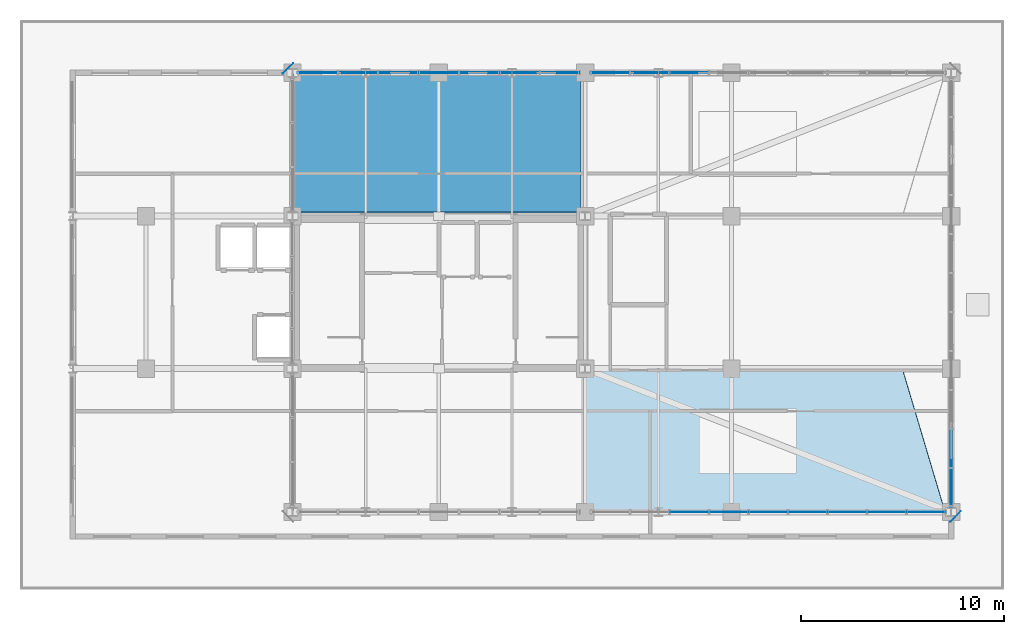
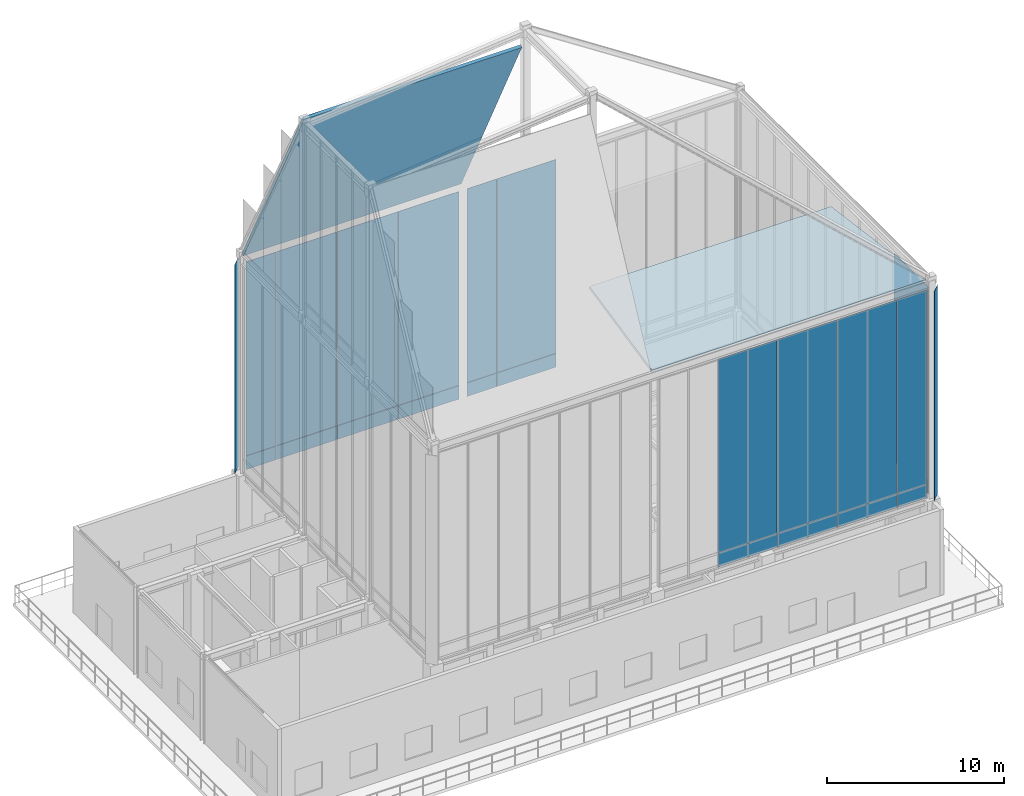
# One storey, part 43 of 49: 24 plates, 2 slabs, 4 elements without a shape of their own.
"""IFC4 building model written with IfcOpenShell, lengths in metres."""

import ifcopenshell
import ifcopenshell.guid

model = None  # the IFC model being written
_history = None  # IfcOwnerHistory: only IFC2X3 demands one
_inside = {}  # id of a spatial element -> (the spatial element, [elements in it])
_under = {}  # id of a project, library or spatial element -> (it, [spatial elements below it])
_declared = {}  # id of a project -> (the project, [libraries it declares])
_typed = {}  # id of a type object -> (the type object, [elements of that type])
_made_of = {}  # id of a material, layer set ... -> (it, [elements and type objects made of it])


def new_model(schema):
    """Start an empty IFC model of exactly this schema.

    Asked for "IFC4X3", IfcOpenShell would pick the latest addendum, in which some entities
    have other attributes; the version numbers below select the first issue.
    IFC2X3 requires an IfcOwnerHistory on every rooted entity: one is made here for all.
    """
    global model, _history
    if schema == "IFC4X3":
        model = ifcopenshell.file(schema_version=(4, 3, 0, 0))
    else:
        model = ifcopenshell.file(schema=schema)
    _inside.clear()
    _under.clear()
    _declared.clear()
    _typed.clear()
    _made_of.clear()
    _history = None
    if model.schema == "IFC2X3":
        org = make("IfcOrganization", Name="unknown")
        user = make(
            "IfcPersonAndOrganization",
            ThePerson=make("IfcPerson", FamilyName="unknown"),
            TheOrganization=org,
        )
        app = make(
            "IfcApplication",
            ApplicationDeveloper=org,
            Version="unknown",
            ApplicationFullName="unknown",
            ApplicationIdentifier="unknown",
        )
        _history = make(
            "IfcOwnerHistory",
            OwningUser=user,
            OwningApplication=app,
            ChangeAction="ADDED",
            CreationDate=0,
        )
    return model


def make(cls, **values):
    """One entity of the class cls with the attributes given. An attribute that is None is left unset."""
    return model.create_entity(
        cls, **{name: value for name, value in values.items() if value is not None}
    )


def rooted(cls, **values):
    """An entity with a GlobalId (a new one), such as an element, a storey or a relation."""
    return make(cls, GlobalId=ifcopenshell.guid.new(), OwnerHistory=_history, **values)


def si_unit(unit_type, name, prefix=None):
    """IfcSIUnit, for example si_unit("LENGTHUNIT", "METRE", prefix="MILLI")."""
    return make("IfcSIUnit", UnitType=unit_type, Prefix=prefix, Name=name)


def assignment(units):
    """IfcUnitAssignment: the units of a project."""
    return None if units is None else make("IfcUnitAssignment", Units=units)


def point(xyz):
    """IfcCartesianPoint."""
    return None if xyz is None else make("IfcCartesianPoint", Coordinates=xyz)


def direction(xyz):
    """IfcDirection."""
    return None if xyz is None else make("IfcDirection", DirectionRatios=xyz)


def frame(location, z_axis=None, x_axis=None):
    """IfcAxis2Placement3D, a coordinate frame: its origin and axes. An axis left out is left unset."""
    return make(
        "IfcAxis2Placement3D",
        Location=point(location),
        Axis=direction(z_axis),
        RefDirection=direction(x_axis),
    )


def frame_2d(location, x_axis=None):
    """IfcAxis2Placement2D, a coordinate frame in the plane: its origin and x axis."""
    return make(
        "IfcAxis2Placement2D", Location=point(location), RefDirection=direction(x_axis)
    )


def origin():
    """The frame at (0, 0, 0) with its axes left unset."""
    return frame((0.0, 0.0, 0.0))


def origin_2d():
    """The frame at (0, 0) in the plane with its x axis left unset."""
    return frame_2d((0.0, 0.0))


def place(relative_to, where):
    """IfcLocalPlacement: puts the frame where relative to a parent placement (None: the world)."""
    return make(
        "IfcLocalPlacement", PlacementRelTo=relative_to, RelativePlacement=where
    )


def context(
    kind, dimensions, precision=None, world=None, true_north=None, identifier=None
):
    """IfcGeometricRepresentationContext, for example the 3D "Model" context."""
    return make(
        "IfcGeometricRepresentationContext",
        ContextIdentifier=identifier,
        ContextType=kind,
        CoordinateSpaceDimension=dimensions,
        Precision=precision,
        WorldCoordinateSystem=world,
        TrueNorth=true_north,
    )


def subcontext(parent, identifier, kind, view, scale=None):
    """IfcGeometricRepresentationSubContext, for example "Body" below "Model"."""
    return make(
        "IfcGeometricRepresentationSubContext",
        ContextIdentifier=identifier,
        ContextType=kind,
        ParentContext=parent,
        TargetScale=scale,
        TargetView=view,
    )


def project(units=None, contexts=None):
    """IfcProject with its units and contexts."""
    return rooted(
        "IfcProject",
        Name="project",
        RepresentationContexts=contexts,
        UnitsInContext=assignment(units),
    )


def spatial(cls, under=None, at=None, **own):
    """A site, building, storey or space (cls), placed at a placement, below another one or the project."""
    s = rooted(cls, ObjectPlacement=at, **own)
    if under is not None:
        _under.setdefault(under.id(), (under, []))[1].append(s)
    return s


def polyline(points):
    """IfcPolyline through the points."""
    return make("IfcPolyline", Points=[point(p) for p in points])


def profile(cls, at=None, kind="AREA", **sizes):
    """A parametric profile (cls). Its sizes go by their IFC names, for example OverallWidth=200.0."""
    return make(cls, ProfileType=kind, Position=at, **sizes)


def rectangle(**sizes):
    """IfcRectangleProfileDef."""
    return profile("IfcRectangleProfileDef", **sizes)


def outline(outer, holes=None, kind="AREA"):
    """IfcArbitraryClosedProfileDef: a profile drawn as a closed curve; with holes, ...WithVoids."""
    if holes is None:
        return make("IfcArbitraryClosedProfileDef", ProfileType=kind, OuterCurve=outer)
    return make(
        "IfcArbitraryProfileDefWithVoids",
        ProfileType=kind,
        OuterCurve=outer,
        InnerCurves=holes,
    )


def extrude(swept, where, along, depth):
    """IfcExtrudedAreaSolid: the profile swept, set in the frame where, extruded along a direction by depth."""
    return make(
        "IfcExtrudedAreaSolid",
        SweptArea=swept,
        Position=where,
        ExtrudedDirection=direction(along),
        Depth=depth,
    )


def shape(context_of_items, identifier, shape_type, items):
    """IfcShapeRepresentation: the items that make up one representation, for example the "Body"."""
    return make(
        "IfcShapeRepresentation",
        ContextOfItems=context_of_items,
        RepresentationIdentifier=identifier,
        RepresentationType=shape_type,
        Items=items,
    )


def source(mapping_origin, context_of_items, identifier, shape_type, items):
    """IfcRepresentationMap: a shape defined once, which mapped items show again and again."""
    return make(
        "IfcRepresentationMap",
        MappingOrigin=mapping_origin,
        MappedRepresentation=shape(context_of_items, identifier, shape_type, items),
    )


def transform(
    local_origin,
    x_axis=None,
    y_axis=None,
    z_axis=None,
    scale=None,
    scale2=None,
    scale3=None,
    uniform=True,
):
    """IfcCartesianTransformationOperator3D, or its non-uniform kind. x_axis, y_axis, z_axis: its Axis1, 2, 3."""
    if uniform:
        return make(
            "IfcCartesianTransformationOperator3D",
            Axis1=direction(x_axis),
            Axis2=direction(y_axis),
            LocalOrigin=point(local_origin),
            Scale=scale,
            Axis3=direction(z_axis),
        )
    return make(
        "IfcCartesianTransformationOperator3DnonUniform",
        Axis1=direction(x_axis),
        Axis2=direction(y_axis),
        LocalOrigin=point(local_origin),
        Scale=scale,
        Axis3=direction(z_axis),
        Scale2=scale2,
        Scale3=scale3,
    )


def mapped(mapping_source, mapping_target):
    """IfcMappedItem: shows the shape of a source again, moved by a transform."""
    return make(
        "IfcMappedItem", MappingSource=mapping_source, MappingTarget=mapping_target
    )


def material(Name=None, Category=None):
    """IfcMaterial."""
    return make("IfcMaterial", Name=Name, Category=Category)


def layer(
    of_material, thickness, ventilated=None, Name=None, Category=None, Priority=None
):
    """IfcMaterialLayer: one layer of a wall or slab, of a material (None: an air gap)."""
    return make(
        "IfcMaterialLayer",
        Material=of_material,
        LayerThickness=thickness,
        IsVentilated=ventilated,
        Name=Name,
        Category=Category,
        Priority=Priority,
    )


def layer_set(layers, Name=None):
    """IfcMaterialLayerSet."""
    return make("IfcMaterialLayerSet", MaterialLayers=layers, LayerSetName=Name)


def made_of(thing, what):
    """Note that an element or type object is made of a material, layer set ...; save() writes the relation."""
    if what is not None:
        _made_of.setdefault(what.id(), (what, []))[1].append(thing)
    return thing


def type_object(cls, material=None, **own):
    """A type object (cls), such as IfcWallType, which elements share."""
    return made_of(rooted(cls, **own), material)


def element(
    cls,
    number,
    at=None,
    inside=None,
    cuts=None,
    type_object=None,
    material=None,
    context=None,
    identifier="Body",
    shape_type=None,
    held_by="IfcProductDefinitionShape",
    body=None,
    shapes=None,
    **own,
):
    """One element of the class cls, such as IfcWall. Its Tag is "e" and its number.

    at: its placement. inside: the storey or other place that contains it. cuts: it is an
    opening in that element (IfcRelVoidsElement). A single representation is given by context,
    identifier, shape_type and body (its items); several are given by shapes. held_by: the class
    of the entity that holds the representations. save() writes the other relations.
    """
    e = rooted(cls, Tag="e%d" % number, ObjectPlacement=at, **own)
    if body is not None:
        shapes = [shape(context, identifier, shape_type, body)]
    if shapes is not None:
        e.Representation = make(held_by, Representations=shapes)
    if inside is not None:
        _inside.setdefault(inside.id(), (inside, []))[1].append(e)
    if cuts is not None:
        rooted(
            "IfcRelVoidsElement", RelatingBuildingElement=cuts, RelatedOpeningElement=e
        )
    if type_object is not None:
        _typed.setdefault(type_object.id(), (type_object, []))[1].append(e)
    return made_of(e, material)


def aggregate(whole, parts):
    """IfcRelAggregates: a whole, such as a stair, and the parts it consists of."""
    return rooted("IfcRelAggregates", RelatingObject=whole, RelatedObjects=parts)


def save(model, path):
    """Write the relations noted so far, then the file.

    IfcRelAggregates (storeys below a building ...), IfcRelContainedInSpatialStructure (elements
    in a storey), IfcRelDefinesByType, IfcRelAssociatesMaterial and IfcRelDeclares: one each for
    every whole, place, type object, material and project.
    """
    for whole, parts in _under.values():
        aggregate(whole, parts)
    for where, things in _inside.values():
        rooted(
            "IfcRelContainedInSpatialStructure",
            RelatedElements=things,
            RelatingStructure=where,
        )
    for kind, things in _typed.values():
        rooted("IfcRelDefinesByType", RelatedObjects=things, RelatingType=kind)
    for what, things in _made_of.values():
        rooted("IfcRelAssociatesMaterial", RelatedObjects=things, RelatingMaterial=what)
    for by, libraries in _declared.values():
        rooted("IfcRelDeclares", RelatingContext=by, RelatedDefinitions=libraries)
    model.write(path)


model = new_model("IFC4")

# Units and contexts
model_context = context("Model", 3, precision=1e-05, world=origin(), true_north=direction((0.0, 1.0)))
body_context = subcontext(model_context, "Body", "Model", "MODEL_VIEW")
ifc_project = project(units=[si_unit("LENGTHUNIT", "METRE"), si_unit("AREAUNIT", "SQUARE_METRE"), si_unit("VOLUMEUNIT", "CUBIC_METRE"), si_unit("PLANEANGLEUNIT", "RADIAN"), si_unit("MASSUNIT", "GRAM", prefix="KILO")], contexts=[model_context])

# Site, building, storey
site_placement = place(None, origin())
site = spatial("IfcSite", under=ifc_project, at=site_placement, CompositionType="ELEMENT")
building_placement = place(site_placement, origin())
building = spatial("IfcBuilding", under=site, at=building_placement, Name="Kaliganga Portal Commons", CompositionType="ELEMENT")
storey_placement = place(building_placement, frame((0.0, 0.0, 298.0)))
storey = spatial("IfcBuildingStorey", under=building, at=storey_placement, Name="L77", CompositionType="ELEMENT", Elevation=298.0)

# Slabs
ifc_material_1 = material(Name="Concrete C40/50", Category="concrete")
ifc_layer_1 = layer(ifc_material_1, 0.18994140625)
ifc_layer_set_1 = layer_set([ifc_layer_1], Name="Concrete C40/50")
slab_type = type_object("IfcSlabType", Name="SLB-CANOPY-190", PredefinedType="ROOF", material=ifc_layer_set_1)
slab_1_placement = place(storey_placement, frame((28.60009765625, 43.199951171875, 21.0), z_axis=(0.0, 0.892447112576, 0.451152026766), x_axis=(-1.0, 0.0, 0.0)))
element("IfcSlab", 1, at=slab_1_placement, inside=storey, type_object=slab_type, Name="Sculpted Crown Canopy Roof Facet N", PredefinedType="ROOF", context=body_context, shape_type="SweptSolid", body=[
    extrude(outline(polyline([(0.0, 0.0), (14.2001953125, 0.0), (14.2001953125, 15.18302724854605), (0.0, 15.18302724854605), (0.0, 0.0)])), origin(), (0.0, 0.0, -1.0), 0.18994140625),
])
slab_2_placement = place(storey_placement, frame((28.64990234375, 21.60009765625, 21.050048828125), z_axis=(0.0, -0.208113160309, 0.978104755385), x_axis=(1.0, 0.0, 0.0)))
element("IfcSlab", 2, at=slab_2_placement, inside=storey, type_object=slab_type, Name="Sculpted Crown Canopy Roof Facet WELL_S", PredefinedType="ROOF", context=body_context, shape_type="SweptSolid", body=[
    extrude(outline(polyline([(0.0, 0.0), (17.85009765625, 0.0), (15.75, 7.20761722984073), (0.0, 7.20761722984073), (0.0, 0.0)])), origin(), (0.0, 0.0, -1.0), 0.18994140625),
])

# Curtain wall, plates
ifc_material_2 = material(Name="Anodized Aluminium and Laminated Low-E Glass", Category="aluminium")
ifc_layer_2 = layer(ifc_material_2, 0.25)
ifc_layer_set_2 = layer_set([ifc_layer_2], Name="Anodized Aluminium and Laminated Low-E Glass")
curtain_wall_type = type_object("IfcCurtainWallType", Name="CW-SYS-06", PredefinedType="NOTDEFINED", material=ifc_layer_set_2)
curtain_wall_1_placement = place(storey_placement, origin())
curtain_wall_1 = element("IfcCurtainWall", 3, at=curtain_wall_1_placement, inside=storey, type_object=curtain_wall_type, Name="CW 06 L77 NW", PredefinedType="NOTDEFINED")
ifc_material_3 = material(Name="Insulated Dark Spandrel Panel", Category="metal")
ifc_layer_3 = layer(ifc_material_3, 0.044921875)
ifc_layer_set_3 = layer_set([ifc_layer_3], Name="Insulated Dark Spandrel Panel")
plate_type_1 = type_object("IfcPlateType", Name="PLT-SPN-45", PredefinedType="SHEET", material=ifc_layer_set_3)
shared_shape_1 = source(origin(), body_context, "Body", "SweptSolid", [
    extrude(rectangle(XDim=3.931396484375, YDim=0.044921875, at=origin_2d()), origin(), (0.0, 0.0, 1.0), 0.929931640625),
])
plate_1_placement = place(storey_placement, frame((26.564208984375, 43.199951171875, 6.01025390625), z_axis=(0.0, 0.0, 1.0), x_axis=(-1.0, 0.0, 0.0)))
plate_1 = element("IfcPlate", 4, at=plate_1_placement, type_object=plate_type_1, Name="CW:06:L77:NW Spandrel 00", PredefinedType="SHEET", context=body_context, shape_type="MappedRepresentation", body=[
    mapped(shared_shape_1, transform((0.0, 0.0, 0.0), x_axis=(1.0, 0.0, 0.0), y_axis=(0.0, 1.0, 0.0), z_axis=(0.0, 0.0, 1.0), scale=1.0)),
])
plate_2_placement = place(storey_placement, frame((22.593017578125, 43.199951171875, 6.01025390625), z_axis=(0.0, 0.0, 1.0), x_axis=(-1.0, 0.0, 0.0)))
plate_2 = element("IfcPlate", 5, at=plate_2_placement, type_object=plate_type_1, Name="CW:06:L77:NW Spandrel 02", PredefinedType="SHEET", context=body_context, shape_type="MappedRepresentation", body=[
    mapped(shared_shape_1, transform((0.0, 0.0, 0.0), x_axis=(1.0, 0.0, 0.0), y_axis=(0.0, 1.0, 0.0), z_axis=(0.0, 0.0, 1.0), scale=1.0)),
])
plate_3_placement = place(storey_placement, frame((18.621337890625, 43.199951171875, 6.01025390625), z_axis=(0.0, 0.0, 1.0), x_axis=(-1.0, 0.0, 0.0)))
plate_3 = element("IfcPlate", 6, at=plate_3_placement, type_object=plate_type_1, Name="CW:06:L77:NW Spandrel 04", PredefinedType="SHEET", context=body_context, shape_type="MappedRepresentation", body=[
    mapped(shared_shape_1, transform((0.0, 0.0, 0.0), x_axis=(1.0, 0.0, 0.0), y_axis=(0.0, 1.0, 0.0), z_axis=(0.0, 0.0, 1.0), scale=1.0)),
])
ifc_material_4 = material(Name="Dark Solar-Control Laminated Low-E IGU", Category="glass")
ifc_layer_4 = layer(ifc_material_4, 0.028076171875)
ifc_layer_set_4 = layer_set([ifc_layer_4], Name="Dark Solar-Control Laminated Low-E IGU")
plate_type_2 = type_object("IfcPlateType", Name="PLT-GLZ-28", PredefinedType="CURTAIN_PANEL", material=ifc_layer_set_4)
shared_shape_2 = source(origin(), body_context, "Body", "SweptSolid", [
    extrude(rectangle(XDim=3.931396484375, YDim=0.028076171875, at=origin_2d()), origin(), (0.0, 0.0, 1.0), 13.35009765625),
])
plate_4_placement = place(storey_placement, frame((26.564208984375, 43.199951171875, 6.9599609375), z_axis=(0.0, 0.0, 1.0), x_axis=(-1.0, 0.0, 0.0)))
plate_4 = element("IfcPlate", 7, at=plate_4_placement, type_object=plate_type_2, Name="CW:06:L77:NW Vision IGU 00", PredefinedType="CURTAIN_PANEL", context=body_context, shape_type="MappedRepresentation", body=[
    mapped(shared_shape_2, transform((0.0, 0.0, 0.0), x_axis=(1.0, 0.0, 0.0), y_axis=(0.0, 1.0, 0.0), z_axis=(0.0, 0.0, 1.0), scale=1.0)),
])
plate_5_placement = place(storey_placement, frame((22.593017578125, 43.199951171875, 6.9599609375), z_axis=(0.0, 0.0, 1.0), x_axis=(-1.0, 0.0, 0.0)))
plate_5 = element("IfcPlate", 8, at=plate_5_placement, type_object=plate_type_2, Name="CW:06:L77:NW Vision IGU 02", PredefinedType="CURTAIN_PANEL", context=body_context, shape_type="MappedRepresentation", body=[
    mapped(shared_shape_2, transform((0.0, 0.0, 0.0), x_axis=(1.0, 0.0, 0.0), y_axis=(0.0, 1.0, 0.0), z_axis=(0.0, 0.0, 1.0), scale=1.0)),
])
plate_6_placement = place(storey_placement, frame((18.621337890625, 43.199951171875, 6.9599609375), z_axis=(0.0, 0.0, 1.0), x_axis=(-1.0, 0.0, 0.0)))
plate_6 = element("IfcPlate", 9, at=plate_6_placement, type_object=plate_type_2, Name="CW:06:L77:NW Vision IGU 04", PredefinedType="CURTAIN_PANEL", context=body_context, shape_type="MappedRepresentation", body=[
    mapped(shared_shape_2, transform((0.0, 0.0, 0.0), x_axis=(1.0, 0.0, 0.0), y_axis=(0.0, 1.0, 0.0), z_axis=(0.0, 0.0, 1.0), scale=1.0)),
])
shared_shape_3 = source(origin(), body_context, "Body", "SweptSolid", [
    extrude(rectangle(XDim=1.94580078125, YDim=0.044921875, at=origin_2d()), origin(), (0.0, 0.0, 1.0), 0.929931640625),
])
plate_7_placement = place(storey_placement, frame((15.642822265625, 43.199951171875, 6.01025390625), z_axis=(0.0, 0.0, 1.0), x_axis=(-1.0, 0.0, 0.0)))
plate_7 = element("IfcPlate", 10, at=plate_7_placement, type_object=plate_type_1, Name="CW:06:L77:NW Spandrel 06", PredefinedType="SHEET", context=body_context, shape_type="MappedRepresentation", body=[
    mapped(shared_shape_3, transform((0.0, 0.0, 0.0), x_axis=(1.0, 0.0, 0.0), y_axis=(0.0, 1.0, 0.0), z_axis=(0.0, 0.0, 1.0), scale=1.0)),
])
shared_shape_4 = source(origin(), body_context, "Body", "SweptSolid", [
    extrude(rectangle(XDim=1.94580078125, YDim=0.028076171875, at=origin_2d()), origin(), (0.0, 0.0, 1.0), 13.35009765625),
])
plate_8_placement = place(storey_placement, frame((15.642822265625, 43.199951171875, 6.9599609375), z_axis=(0.0, 0.0, 1.0), x_axis=(-1.0, 0.0, 0.0)))
plate_8 = element("IfcPlate", 11, at=plate_8_placement, type_object=plate_type_2, Name="CW:06:L77:NW Vision IGU 06", PredefinedType="CURTAIN_PANEL", context=body_context, shape_type="MappedRepresentation", body=[
    mapped(shared_shape_4, transform((0.0, 0.0, 0.0), x_axis=(1.0, 0.0, 0.0), y_axis=(0.0, 1.0, 0.0), z_axis=(0.0, 0.0, 1.0), scale=1.0)),
])
aggregate(curtain_wall_1, [plate_1, plate_4, plate_2, plate_5, plate_3, plate_6, plate_7, plate_8])

curtain_wall_2_placement = place(storey_placement, origin())
curtain_wall_2 = element("IfcCurtainWall", 12, at=curtain_wall_2_placement, inside=storey, type_object=curtain_wall_type, Name="CW 06 L77 SE", PredefinedType="NOTDEFINED")
shared_shape_5 = source(origin(), body_context, "Body", "SweptSolid", [
    extrude(rectangle(XDim=3.848876953125, YDim=0.044921875, at=origin_2d()), origin(), (0.0, 0.0, 1.0), 0.929931640625),
])
plate_9_placement = place(storey_placement, frame((34.88330078125, 21.60009765625, 6.01025390625), z_axis=(0.0, 0.0, 1.0), x_axis=(1.0, 0.0, 0.0)))
plate_9 = element("IfcPlate", 13, at=plate_9_placement, type_object=plate_type_1, Name="CW:06:L77:SE Spandrel 02", PredefinedType="SHEET", context=body_context, shape_type="MappedRepresentation", body=[
    mapped(shared_shape_5, transform((0.0, 0.0, 0.0), x_axis=(1.0, 0.0, 0.0), y_axis=(0.0, 1.0, 0.0), z_axis=(0.0, 0.0, 1.0), scale=1.0)),
])
plate_10_placement = place(storey_placement, frame((38.772216796875, 21.60009765625, 6.01025390625), z_axis=(0.0, 0.0, 1.0), x_axis=(1.0, 0.0, 0.0)))
plate_10 = element("IfcPlate", 14, at=plate_10_placement, type_object=plate_type_1, Name="CW:06:L77:SE Spandrel 04", PredefinedType="SHEET", context=body_context, shape_type="MappedRepresentation", body=[
    mapped(shared_shape_5, transform((0.0, 0.0, 0.0), x_axis=(1.0, 0.0, 0.0), y_axis=(0.0, 1.0, 0.0), z_axis=(0.0, 0.0, 1.0), scale=1.0)),
])
plate_11_placement = place(storey_placement, frame((42.6611328125, 21.60009765625, 6.01025390625), z_axis=(0.0, 0.0, 1.0), x_axis=(1.0, 0.0, 0.0)))
plate_11 = element("IfcPlate", 15, at=plate_11_placement, type_object=plate_type_1, Name="CW:06:L77:SE Spandrel 06", PredefinedType="SHEET", context=body_context, shape_type="MappedRepresentation", body=[
    mapped(shared_shape_5, transform((0.0, 0.0, 0.0), x_axis=(1.0, 0.0, 0.0), y_axis=(0.0, 1.0, 0.0), z_axis=(0.0, 0.0, 1.0), scale=1.0)),
])

# Curtain wall, plate
curtain_wall_3_placement = place(storey_placement, origin())
curtain_wall_3 = element("IfcCurtainWall", 16, at=curtain_wall_3_placement, inside=storey, type_object=curtain_wall_type, Name="CW 06 L77 NE", PredefinedType="NOTDEFINED")
plate_12_placement = place(storey_placement, frame((32.93896484375, 43.199951171875, 6.01025390625), z_axis=(0.0, 0.0, 1.0), x_axis=(-1.0, 0.0, 0.0)))
plate_12 = element("IfcPlate", 17, at=plate_12_placement, type_object=plate_type_1, Name="CW:06:L77:NE Spandrel 06", PredefinedType="SHEET", context=body_context, shape_type="MappedRepresentation", body=[
    mapped(shared_shape_5, transform((0.0, 0.0, 0.0), x_axis=(1.0, 0.0, 0.0), y_axis=(0.0, 1.0, 0.0), z_axis=(0.0, 0.0, 1.0), scale=1.0)),
])

# Plate
shared_shape_6 = source(origin(), body_context, "Body", "SweptSolid", [
    extrude(rectangle(XDim=3.848876953125, YDim=0.028076171875, at=origin_2d()), origin(), (0.0, 0.0, 1.0), 13.35009765625),
])
plate_13_placement = place(storey_placement, frame((34.88330078125, 21.60009765625, 6.9599609375), z_axis=(0.0, 0.0, 1.0), x_axis=(1.0, 0.0, 0.0)))
plate_13 = element("IfcPlate", 18, at=plate_13_placement, type_object=plate_type_2, Name="CW:06:L77:SE Vision IGU 02", PredefinedType="CURTAIN_PANEL", context=body_context, shape_type="MappedRepresentation", body=[
    mapped(shared_shape_6, transform((0.0, 0.0, 0.0), x_axis=(1.0, 0.0, 0.0), y_axis=(0.0, 1.0, 0.0), z_axis=(0.0, 0.0, 1.0), scale=1.0)),
])

plate_14_placement = place(storey_placement, frame((38.772216796875, 21.60009765625, 6.9599609375), z_axis=(0.0, 0.0, 1.0), x_axis=(1.0, 0.0, 0.0)))
plate_14 = element("IfcPlate", 19, at=plate_14_placement, type_object=plate_type_2, Name="CW:06:L77:SE Vision IGU 04", PredefinedType="CURTAIN_PANEL", context=body_context, shape_type="MappedRepresentation", body=[
    mapped(shared_shape_6, transform((0.0, 0.0, 0.0), x_axis=(1.0, 0.0, 0.0), y_axis=(0.0, 1.0, 0.0), z_axis=(0.0, 0.0, 1.0), scale=1.0)),
])

plate_15_placement = place(storey_placement, frame((42.6611328125, 21.60009765625, 6.9599609375), z_axis=(0.0, 0.0, 1.0), x_axis=(1.0, 0.0, 0.0)))
plate_15 = element("IfcPlate", 20, at=plate_15_placement, type_object=plate_type_2, Name="CW:06:L77:SE Vision IGU 06", PredefinedType="CURTAIN_PANEL", context=body_context, shape_type="MappedRepresentation", body=[
    mapped(shared_shape_6, transform((0.0, 0.0, 0.0), x_axis=(1.0, 0.0, 0.0), y_axis=(0.0, 1.0, 0.0), z_axis=(0.0, 0.0, 1.0), scale=1.0)),
])

plate_16_placement = place(storey_placement, frame((32.93896484375, 43.199951171875, 6.9599609375), z_axis=(0.0, 0.0, 1.0), x_axis=(-1.0, 0.0, 0.0)))
plate_16 = element("IfcPlate", 21, at=plate_16_placement, type_object=plate_type_2, Name="CW:06:L77:NE Vision IGU 06", PredefinedType="CURTAIN_PANEL", context=body_context, shape_type="MappedRepresentation", body=[
    mapped(shared_shape_6, transform((0.0, 0.0, 0.0), x_axis=(1.0, 0.0, 0.0), y_axis=(0.0, 1.0, 0.0), z_axis=(0.0, 0.0, 1.0), scale=1.0)),
])

shared_shape_7 = source(origin(), body_context, "Body", "SweptSolid", [
    extrude(rectangle(XDim=1.904296875, YDim=0.044921875, at=origin_2d()), origin(), (0.0, 0.0, 1.0), 0.929931640625),
])
plate_17_placement = place(storey_placement, frame((45.577880859375, 21.60009765625, 6.01025390625), z_axis=(0.0, 0.0, 1.0), x_axis=(1.0, 0.0, 0.0)))
plate_17 = element("IfcPlate", 22, at=plate_17_placement, type_object=plate_type_1, Name="CW:06:L77:SE Spandrel 08", PredefinedType="SHEET", context=body_context, shape_type="MappedRepresentation", body=[
    mapped(shared_shape_7, transform((0.0, 0.0, 0.0), x_axis=(1.0, 0.0, 0.0), y_axis=(0.0, 1.0, 0.0), z_axis=(0.0, 0.0, 1.0), scale=1.0)),
])

plate_18_placement = place(storey_placement, frame((30.022216796875, 43.199951171875, 6.01025390625), z_axis=(0.0, 0.0, 1.0), x_axis=(-1.0, 0.0, 0.0)))
plate_18 = element("IfcPlate", 23, at=plate_18_placement, type_object=plate_type_1, Name="CW:06:L77:NE Spandrel 08", PredefinedType="SHEET", context=body_context, shape_type="MappedRepresentation", body=[
    mapped(shared_shape_7, transform((0.0, 0.0, 0.0), x_axis=(1.0, 0.0, 0.0), y_axis=(0.0, 1.0, 0.0), z_axis=(0.0, 0.0, 1.0), scale=1.0)),
])

shared_shape_8 = source(origin(), body_context, "Body", "SweptSolid", [
    extrude(rectangle(XDim=1.904296875, YDim=0.028076171875, at=origin_2d()), origin(), (0.0, 0.0, 1.0), 13.35009765625),
])
plate_19_placement = place(storey_placement, frame((45.577880859375, 21.60009765625, 6.9599609375), z_axis=(0.0, 0.0, 1.0), x_axis=(1.0, 0.0, 0.0)))
plate_19 = element("IfcPlate", 24, at=plate_19_placement, type_object=plate_type_2, Name="CW:06:L77:SE Vision IGU 08", PredefinedType="CURTAIN_PANEL", context=body_context, shape_type="MappedRepresentation", body=[
    mapped(shared_shape_8, transform((0.0, 0.0, 0.0), x_axis=(1.0, 0.0, 0.0), y_axis=(0.0, 1.0, 0.0), z_axis=(0.0, 0.0, 1.0), scale=1.0)),
])

aggregate(curtain_wall_2, [plate_9, plate_13, plate_10, plate_14, plate_11, plate_15, plate_17, plate_19])

plate_20_placement = place(storey_placement, frame((30.022216796875, 43.199951171875, 6.9599609375), z_axis=(0.0, 0.0, 1.0), x_axis=(-1.0, 0.0, 0.0)))
plate_20 = element("IfcPlate", 25, at=plate_20_placement, type_object=plate_type_2, Name="CW:06:L77:NE Vision IGU 08", PredefinedType="CURTAIN_PANEL", context=body_context, shape_type="MappedRepresentation", body=[
    mapped(shared_shape_8, transform((0.0, 0.0, 0.0), x_axis=(1.0, 0.0, 0.0), y_axis=(0.0, 1.0, 0.0), z_axis=(0.0, 0.0, 1.0), scale=1.0)),
])

aggregate(curtain_wall_3, [plate_12, plate_16, plate_18, plate_20])

# Curtain wall, plates
curtain_wall_4_placement = place(storey_placement, origin())
curtain_wall_4 = element("IfcCurtainWall", 26, at=curtain_wall_4_placement, inside=storey, type_object=curtain_wall_type, Name="CW 06 L77 E", PredefinedType="NOTDEFINED")
shared_shape_9 = source(origin(), body_context, "Body", "SweptSolid", [
    extrude(rectangle(XDim=3.79638671875, YDim=0.044921875, at=origin_2d()), origin(), (0.0, 0.0, 1.0), 0.929931640625),
])
plate_21_placement = place(storey_placement, frame((46.800048828125, 23.768310546875, 6.01025390625), z_axis=(0.0, 0.0, 1.0), x_axis=(0.0, 1.0, 0.0)))
plate_21 = element("IfcPlate", 27, at=plate_21_placement, type_object=plate_type_1, Name="CW:06:L77:E Spandrel 00", PredefinedType="SHEET", context=body_context, shape_type="MappedRepresentation", body=[
    mapped(shared_shape_9, transform((0.0, 0.0, 0.0), x_axis=(1.0, 0.0, 0.0), y_axis=(0.0, 1.0, 0.0), z_axis=(0.0, 0.0, 1.0), scale=1.0)),
])
shared_shape_10 = source(origin(), body_context, "Body", "SweptSolid", [
    extrude(rectangle(XDim=3.79638671875, YDim=0.028076171875, at=origin_2d()), origin(), (0.0, 0.0, 1.0), 13.35009765625),
])
plate_22_placement = place(storey_placement, frame((46.800048828125, 23.768310546875, 6.9599609375), z_axis=(0.0, 0.0, 1.0), x_axis=(0.0, 1.0, 0.0)))
plate_22 = element("IfcPlate", 28, at=plate_22_placement, type_object=plate_type_2, Name="CW:06:L77:E Vision IGU 00", PredefinedType="CURTAIN_PANEL", context=body_context, shape_type="MappedRepresentation", body=[
    mapped(shared_shape_10, transform((0.0, 0.0, 0.0), x_axis=(1.0, 0.0, 0.0), y_axis=(0.0, 1.0, 0.0), z_axis=(0.0, 0.0, 1.0), scale=1.0)),
])
aggregate(curtain_wall_4, [plate_21, plate_22])

# Plates
ifc_material_5 = material(Name="Perforated Bronze-Anodized Aluminium Solar Screen", Category="aluminium")
ifc_layer_5 = layer(ifc_material_5, 0.01806640625)
ifc_layer_set_5 = layer_set([ifc_layer_5], Name="Perforated Bronze-Anodized Aluminium Solar Screen")
plate_type_3 = type_object("IfcPlateType", Name="PLT-SCR-18", PredefinedType="USERDEFINED", material=ifc_layer_set_5)
shared_shape_11 = source(origin(), body_context, "Body", "SweptSolid", [
    extrude(rectangle(XDim=0.719970703125, YDim=0.01806640625, at=origin_2d()), origin(), (0.0, 0.0, 1.0), 14.39990234375),
])
for number, where, z_axis, x_axis, name in (
    (29, (47.02001953125, 21.3798828125, 6.0), (0.0, 0.0, 1.0), (0.707106781187, 0.707106781187, 0.0), "Crown Corner Solar Screen Closure SE"),
    (30, (14.179931640625, 43.419921875, 6.0), (0.0, 0.0, 1.0), (0.707106781187, 0.707106781187, 0.0), "Crown Corner Solar Screen Closure NW"),
):
    element("IfcPlate", number, at=place(storey_placement, frame(where, z_axis=z_axis, x_axis=x_axis)), inside=storey, type_object=plate_type_3, Name=name, ObjectType="SOLAR SCREEN", PredefinedType="USERDEFINED", context=body_context, shape_type="MappedRepresentation", body=[
        mapped(shared_shape_11, transform((0.0, 0.0, 0.0), x_axis=(1.0, 0.0, 0.0), y_axis=(0.0, 1.0, 0.0), z_axis=(0.0, 0.0, 1.0), scale=1.0)),
    ])

save(model, "model.ifc")
